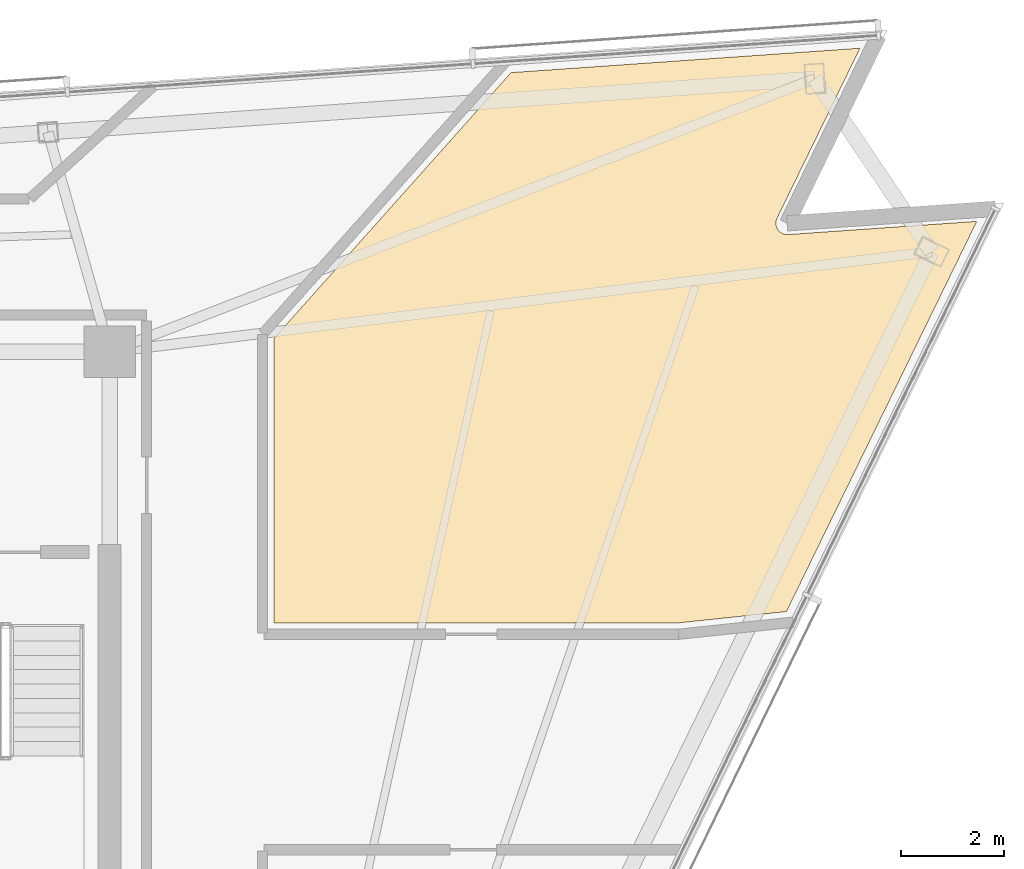
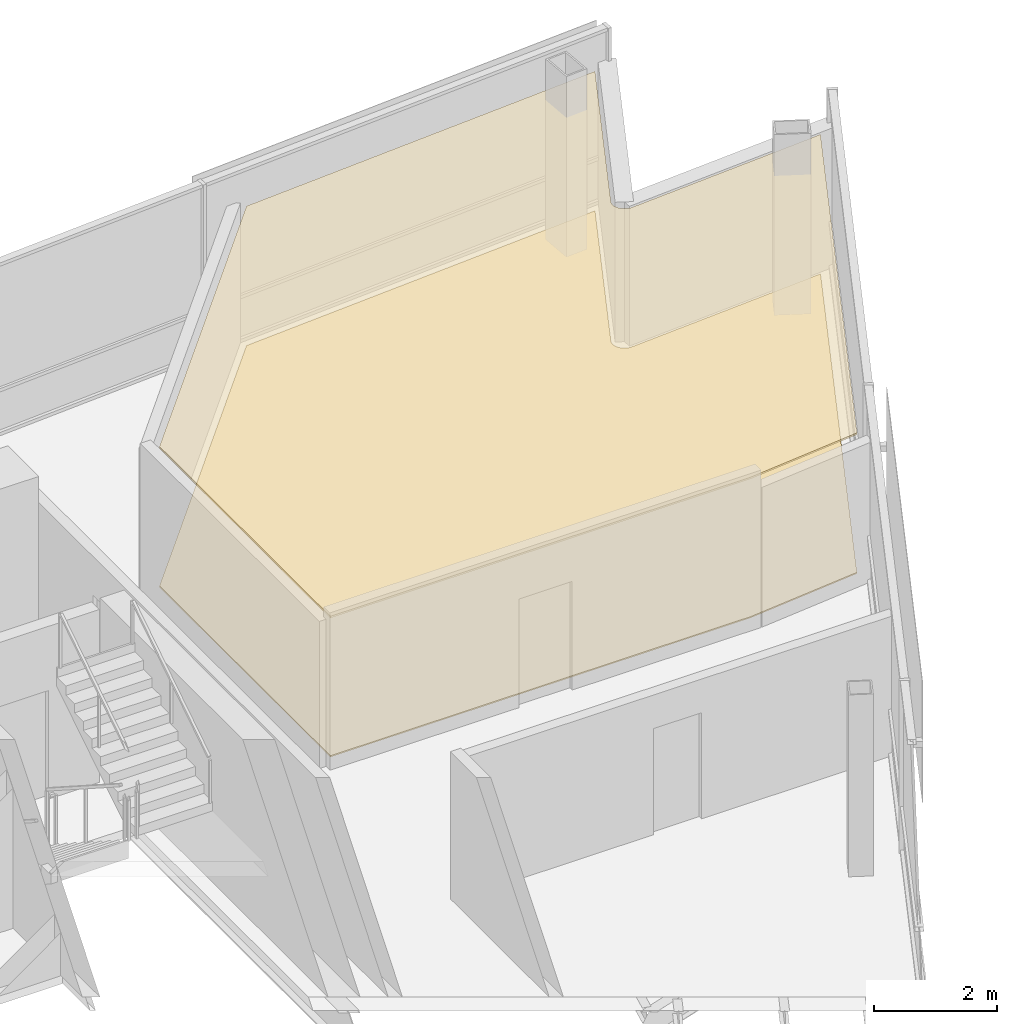
# One storey, part 16 of 16: 2 coverings.
"""IFC4 building model written with IfcOpenShell, lengths in metres."""

from ifc_helpers import new_model, si_unit, direction, frame, origin, place, context, subcontext, project, spatial, polyline, outline, extrude, material, layer, layer_set, type_object, element, save


model = new_model("IFC4")

# Units and contexts
model_context = context("Model", 3, precision=1e-05, world=origin(), true_north=direction((0.0, 1.0)))
body_context = subcontext(model_context, "Body", "Model", "MODEL_VIEW")
ifc_project = project(units=[si_unit("LENGTHUNIT", "METRE"), si_unit("AREAUNIT", "SQUARE_METRE"), si_unit("VOLUMEUNIT", "CUBIC_METRE"), si_unit("PLANEANGLEUNIT", "RADIAN"), si_unit("MASSUNIT", "GRAM", prefix="KILO")], contexts=[model_context])

# Site, building, storey
site_placement = place(None, origin())
site = spatial("IfcSite", under=ifc_project, at=site_placement, CompositionType="ELEMENT")
building_placement = place(site_placement, origin())
building = spatial("IfcBuilding", under=site, at=building_placement, Name="Tharavind Bronze Gate", CompositionType="ELEMENT")
storey_placement = place(building_placement, frame((0.0, 0.0, 260.60009765625)))
storey = spatial("IfcBuildingStorey", under=building, at=storey_placement, Name="L67", CompositionType="ELEMENT", Elevation=260.60009765625)

# Coverings
ifc_material_1 = material(Name="Engineered Oak & Carpet Tile", Category="wood")
ifc_layer_1 = layer(ifc_material_1, 0.02490234375)
ifc_layer_set_1 = layer_set([ifc_layer_1], Name="Engineered Oak & Carpet Tile")
covering_type_1 = type_object("IfcCoveringType", Name="ENGINEERED TIMBER FLOORING", PredefinedType="FLOORING", material=ifc_layer_set_1)
covering_1_placement = place(storey_placement, origin())
element("IfcCovering", 1, at=covering_1_placement, inside=storey, type_object=covering_type_1, Name="L67-RM-01 floor finish", PredefinedType="FLOORING", context=body_context, shape_type="SweptSolid", body=[
    extrude(outline(polyline([(19.968505859375, 2.320068359375), (22.083740234375, 2.542236328125), (25.79052734375, 10.142578125), (22.11328125, 9.885498046875), (22.102294921875, 9.885009765625), (22.1015625, 9.885009765625), (22.07958984375, 9.885498046875), (22.05810546875, 9.888427734375), (22.03662109375, 9.893310546875), (22.015869140625, 9.900390625), (21.995849609375, 9.90966796875), (21.97705078125, 9.920654296875), (21.959228515625, 9.93359375), (21.94287109375, 9.947998046875), (21.927978515625, 9.96435546875), (21.914794921875, 9.981689453125), (21.903564453125, 10.00048828125), (21.89404296875, 10.0205078125), (21.88671875, 10.041015625), (21.88134765625, 10.062255859375), (21.878173828125, 10.083984375), (21.877197265625, 10.10595703125), (21.87841796875, 10.127685546875), (21.8818359375, 10.1494140625), (21.88720703125, 10.170654296875), (21.89501953125, 10.19140625), (21.895263671875, 10.19189453125), (21.899658203125, 10.201904296875), (23.515625, 13.51513671875), (16.718994140625, 13.039794921875), (12.10009765625, 7.86181640625), (12.10009765625, 2.320068359375), (19.968505859375, 2.320068359375)])), origin(), (0.0, 0.0, 1.0), 0.02490234375),
])
ifc_material_2 = material(Name="Acoustic Gypsum Board", Category="gypsum")
ifc_layer_2 = layer(ifc_material_2, 0.030029296875)
ifc_layer_set_2 = layer_set([ifc_layer_2], Name="Acoustic Gypsum Board")
covering_type_2 = type_object("IfcCoveringType", Name="GYPSUM SUSPENDED CEILING", PredefinedType="CEILING", material=ifc_layer_set_2)
covering_2_placement = place(storey_placement, frame((0.0, 0.0, 2.75)))
element("IfcCovering", 2, at=covering_2_placement, inside=storey, type_object=covering_type_2, Name="L67-RM-01 suspended ceiling", PredefinedType="CEILING", context=body_context, shape_type="SweptSolid", body=[
    extrude(outline(polyline([(19.968505859375, 2.320068359375), (22.083740234375, 2.542236328125), (25.79052734375, 10.142578125), (22.11328125, 9.885498046875), (22.102294921875, 9.885009765625), (22.1015625, 9.885009765625), (22.07958984375, 9.885498046875), (22.05810546875, 9.888427734375), (22.03662109375, 9.893310546875), (22.015869140625, 9.900390625), (21.995849609375, 9.90966796875), (21.97705078125, 9.920654296875), (21.959228515625, 9.93359375), (21.94287109375, 9.947998046875), (21.927978515625, 9.96435546875), (21.914794921875, 9.981689453125), (21.903564453125, 10.00048828125), (21.89404296875, 10.0205078125), (21.88671875, 10.041015625), (21.88134765625, 10.062255859375), (21.878173828125, 10.083984375), (21.877197265625, 10.10595703125), (21.87841796875, 10.127685546875), (21.8818359375, 10.1494140625), (21.88720703125, 10.170654296875), (21.89501953125, 10.19140625), (21.895263671875, 10.19189453125), (21.899658203125, 10.201904296875), (23.515625, 13.51513671875), (16.718994140625, 13.039794921875), (12.10009765625, 7.86181640625), (12.10009765625, 2.320068359375), (19.968505859375, 2.320068359375)])), origin(), (0.0, 0.0, 1.0), 0.034912109375),
])

save(model, "model.ifc")
